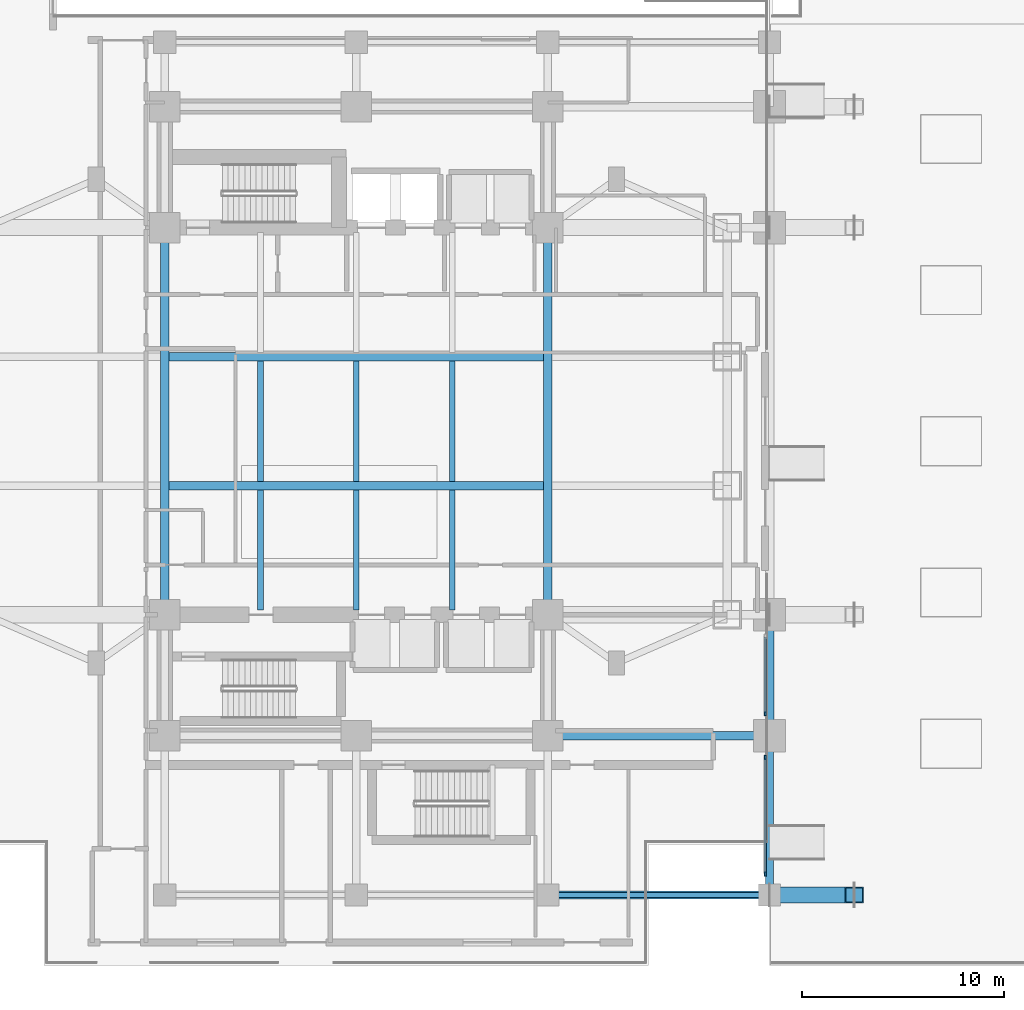
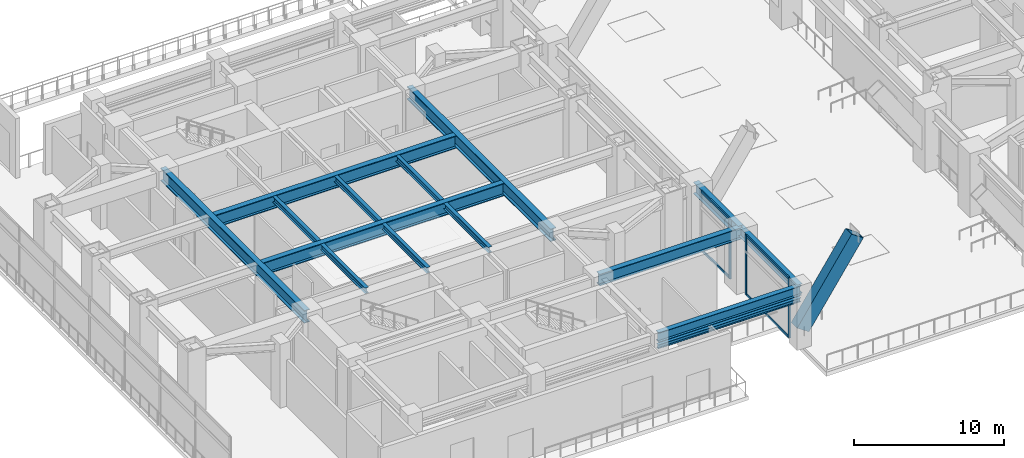
# One storey, part 3 of 27: 15 beams, 8 members, 2 elements without a shape of their own.
"""IFC4 building model written with IfcOpenShell, lengths in metres."""

from ifc_helpers import new_model, si_unit, direction, frame, origin, origin_2d, place, context, subcontext, project, spatial, rectangle, hollow_rectangle, i_section, extrude, material, material_profile, profile_set, type_object, element, aggregate, save


model = new_model("IFC4")

# Units and contexts
model_context = context("Model", 3, precision=1e-05, world=origin(), true_north=direction((0.0, 1.0)))
body_context = subcontext(model_context, "Body", "Model", "MODEL_VIEW")
ifc_project = project(units=[si_unit("LENGTHUNIT", "METRE"), si_unit("AREAUNIT", "SQUARE_METRE"), si_unit("VOLUMEUNIT", "CUBIC_METRE"), si_unit("PLANEANGLEUNIT", "RADIAN"), si_unit("MASSUNIT", "GRAM", prefix="KILO")], contexts=[model_context])

# Site, building, storey
site_placement = place(None, origin())
site = spatial("IfcSite", under=ifc_project, at=site_placement, CompositionType="ELEMENT")
building_placement = place(site_placement, origin())
building = spatial("IfcBuilding", under=site, at=building_placement, Name="Mirazonda Arch Towers", CompositionType="ELEMENT")
storey_placement = place(building_placement, origin())
storey = spatial("IfcBuildingStorey", under=building, at=storey_placement, Name="L00", CompositionType="ELEMENT", Elevation=0.0)

# Beams
ifc_material_1 = material(Name="Steel ASTM A992 Grade 50", Category="steel")
ifc_material_profile_1 = material_profile(ifc_material_1, i_section(OverallWidth=0.25390625, OverallDepth=0.320068359375, WebThickness=0.0087890625, FlangeThickness=0.0146484375, at=origin_2d()), Name="W12X53")
ifc_profile_set_1 = profile_set([ifc_material_profile_1], Name="Steel ASTM A992 Grade 50")
beam_type_1 = type_object("IfcBeamType", Name="BM-EXT-W12X53", PredefinedType="LINTEL", material=ifc_profile_set_1)
beam_1_placement = place(storey_placement, frame((30.0, 4.5, 3.699951171875), z_axis=(1.0, 0.0, 0.0), x_axis=(0.0, 1.0, 0.0)))
element("IfcBeam", 1, at=beam_1_placement, inside=storey, type_object=beam_type_1, Name="L00 Facade Opening Lintel LNT-S3", PredefinedType="LINTEL", context=body_context, shape_type="SweptSolid", body=[
    extrude(i_section(OverallWidth=0.25390625, OverallDepth=0.320068359375, WebThickness=0.0087890625, FlangeThickness=0.0146484375, at=origin_2d()), origin(), (0.0, 0.0, 1.0), 11.0),
])
ifc_material_profile_2 = material_profile(ifc_material_1, i_section(OverallWidth=0.381103515625, OverallDepth=0.77294921875, WebThickness=0.0166015625, FlangeThickness=0.027099609375, at=origin_2d()), Name="W30X173")
ifc_profile_set_2 = profile_set([ifc_material_profile_2], Name="Steel ASTM A992 Grade 50")
beam_type_2 = type_object("IfcBeamType", Name="BM-EXT-W30X173", PredefinedType="USERDEFINED", material=ifc_profile_set_2)
beam_2_placement = place(storey_placement, frame((30.0, 4.5, 4.493408203125), z_axis=(1.0, 0.0, 0.0), x_axis=(0.0, 1.0, 0.0)))
element("IfcBeam", 2, at=beam_2_placement, inside=storey, type_object=beam_type_2, Name="L00 Floor Beam BM-POD-L00-PS-3", ObjectType="GIRDER", PredefinedType="USERDEFINED", context=body_context, shape_type="SweptSolid", body=[
    extrude(i_section(OverallWidth=0.381103515625, OverallDepth=0.77294921875, WebThickness=0.0166015625, FlangeThickness=0.027099609375, at=origin_2d()), origin(), (0.0, 0.0, 1.0), 11.0),
])
ifc_material_profile_3 = material_profile(ifc_material_1, i_section(OverallWidth=0.423095703125, OverallDepth=0.947998046875, WebThickness=0.02392578125, FlangeThickness=0.042724609375, at=origin_2d()), Name="W36X302")
ifc_profile_set_3 = profile_set([ifc_material_profile_3], Name="Steel ASTM A992 Grade 50")
beam_type_3 = type_object("IfcBeamType", Name="BM-EXT-W36X302", PredefinedType="USERDEFINED", material=ifc_profile_set_3)
beam_3_placement = place(storey_placement, frame((41.0, 12.39990234375, 4.406005859375), z_axis=(0.0, 1.0, 0.0), x_axis=(-1.0, 0.0, 0.0)))
element("IfcBeam", 3, at=beam_3_placement, inside=storey, type_object=beam_type_3, Name="L00 Floor Beam BM-POD-L00-PA-WL1", ObjectType="GIRDER", PredefinedType="USERDEFINED", context=body_context, shape_type="SweptSolid", body=[
    extrude(i_section(OverallWidth=0.423095703125, OverallDepth=0.947998046875, WebThickness=0.02392578125, FlangeThickness=0.042724609375, at=origin_2d()), origin(), (0.0, 0.0, 1.0), 6.0),
])
ifc_material_profile_4 = material_profile(ifc_material_1, i_section(OverallWidth=0.280029296875, OverallDepth=0.462890625, WebThickness=0.0107421875, FlangeThickness=0.017333984375, at=origin_2d()), Name="W18X76")
ifc_profile_set_4 = profile_set([ifc_material_profile_4], Name="Steel ASTM A992 Grade 50")
beam_type_4 = type_object("IfcBeamType", Name="BM-INT-W18X76", PredefinedType="JOIST", material=ifc_profile_set_4)
beam_4_placement = place(storey_placement, frame((15.75, 18.639892578125, 4.6484375), z_axis=(0.0, 1.0, 0.0), x_axis=(-1.0, 0.0, 0.0)))
element("IfcBeam", 4, at=beam_4_placement, inside=storey, type_object=beam_type_4, Name="L00 Floor Beam BM-T1-L00-J-157-18", PredefinedType="JOIST", context=body_context, shape_type="SweptSolid", body=[
    extrude(i_section(OverallWidth=0.280029296875, OverallDepth=0.462890625, WebThickness=0.0107421875, FlangeThickness=0.017333984375, at=origin_2d()), origin(), (0.0, 0.0, 1.0), 5.9541015625),
])
beam_5_placement = place(storey_placement, frame((15.75, 25.006103515625, 4.6484375), z_axis=(0.0, 1.0, 0.0), x_axis=(-1.0, 0.0, 0.0)))
element("IfcBeam", 5, at=beam_5_placement, inside=storey, type_object=beam_type_4, Name="L00 Floor Beam BM-T1-L00-J-157-24", PredefinedType="JOIST", context=body_context, shape_type="SweptSolid", body=[
    extrude(i_section(OverallWidth=0.280029296875, OverallDepth=0.462890625, WebThickness=0.0107421875, FlangeThickness=0.017333984375, at=origin_2d()), origin(), (0.0, 0.0, 1.0), 5.98779296875),
])
beam_6_placement = place(storey_placement, frame((20.5, 18.639892578125, 4.6484375), z_axis=(0.0, 1.0, 0.0), x_axis=(-1.0, 0.0, 0.0)))
element("IfcBeam", 6, at=beam_6_placement, inside=storey, type_object=beam_type_4, Name="L00 Floor Beam BM-T1-L00-J-205-18", PredefinedType="JOIST", context=body_context, shape_type="SweptSolid", body=[
    extrude(i_section(OverallWidth=0.280029296875, OverallDepth=0.462890625, WebThickness=0.0107421875, FlangeThickness=0.017333984375, at=origin_2d()), origin(), (0.0, 0.0, 1.0), 5.9541015625),
])
beam_7_placement = place(storey_placement, frame((20.5, 25.006103515625, 4.6484375), z_axis=(0.0, 1.0, 0.0), x_axis=(-1.0, 0.0, 0.0)))
element("IfcBeam", 7, at=beam_7_placement, inside=storey, type_object=beam_type_4, Name="L00 Floor Beam BM-T1-L00-J-205-24", PredefinedType="JOIST", context=body_context, shape_type="SweptSolid", body=[
    extrude(i_section(OverallWidth=0.280029296875, OverallDepth=0.462890625, WebThickness=0.0107421875, FlangeThickness=0.017333984375, at=origin_2d()), origin(), (0.0, 0.0, 1.0), 5.98779296875),
])
beam_8_placement = place(storey_placement, frame((25.25, 18.639892578125, 4.6484375), z_axis=(0.0, 1.0, 0.0), x_axis=(-1.0, 0.0, 0.0)))
element("IfcBeam", 8, at=beam_8_placement, inside=storey, type_object=beam_type_4, Name="L00 Floor Beam BM-T1-L00-J-252-18", PredefinedType="JOIST", context=body_context, shape_type="SweptSolid", body=[
    extrude(i_section(OverallWidth=0.280029296875, OverallDepth=0.462890625, WebThickness=0.0107421875, FlangeThickness=0.017333984375, at=origin_2d()), origin(), (0.0, 0.0, 1.0), 5.9541015625),
])
beam_9_placement = place(storey_placement, frame((25.25, 25.006103515625, 4.6484375), z_axis=(0.0, 1.0, 0.0), x_axis=(-1.0, 0.0, 0.0)))
element("IfcBeam", 9, at=beam_9_placement, inside=storey, type_object=beam_type_4, Name="L00 Floor Beam BM-T1-L00-J-252-24", PredefinedType="JOIST", context=body_context, shape_type="SweptSolid", body=[
    extrude(i_section(OverallWidth=0.280029296875, OverallDepth=0.462890625, WebThickness=0.0107421875, FlangeThickness=0.017333984375, at=origin_2d()), origin(), (0.0, 0.0, 1.0), 5.98779296875),
])
ifc_material_profile_5 = material_profile(ifc_material_1, i_section(OverallWidth=0.381103515625, OverallDepth=0.77294921875, WebThickness=0.0166015625, FlangeThickness=0.027099609375, at=origin_2d()), Name="W30X173")
ifc_profile_set_5 = profile_set([ifc_material_profile_5], Name="Steel ASTM A992 Grade 50")
beam_type_5 = type_object("IfcBeamType", Name="BM-INT-W30X173", PredefinedType="USERDEFINED", material=ifc_profile_set_5)
beam_10_placement = place(storey_placement, frame((41.0, 4.5, 4.493408203125), z_axis=(0.0, 1.0, 0.0), x_axis=(-1.0, 0.0, 0.0)))
element("IfcBeam", 10, at=beam_10_placement, inside=storey, type_object=beam_type_5, Name="L00 Floor Beam BM-POD-L00-PCS-4", ObjectType="GIRDER", PredefinedType="USERDEFINED", context=body_context, shape_type="SweptSolid", body=[
    extrude(i_section(OverallWidth=0.381103515625, OverallDepth=0.77294921875, WebThickness=0.0166015625, FlangeThickness=0.027099609375, at=origin_2d()), origin(), (0.0, 0.0, 1.0), 7.89990234375),
])
ifc_material_profile_6 = material_profile(ifc_material_1, i_section(OverallWidth=0.423095703125, OverallDepth=0.947998046875, WebThickness=0.02392578125, FlangeThickness=0.042724609375, at=origin_2d()), Name="W36X302")
ifc_profile_set_6 = profile_set([ifc_material_profile_6], Name="Steel ASTM A992 Grade 50")
beam_type_6 = type_object("IfcBeamType", Name="BM-INT-W36X302", PredefinedType="USERDEFINED", material=ifc_profile_set_6)
beam_11_placement = place(storey_placement, frame((30.0, 12.39990234375, 4.406005859375), z_axis=(1.0, 0.0, 0.0), x_axis=(0.0, 1.0, 0.0)))
element("IfcBeam", 11, at=beam_11_placement, inside=storey, type_object=beam_type_6, Name="L00 Floor Beam BM-POD-L00-PA-W1", ObjectType="GIRDER", PredefinedType="USERDEFINED", context=body_context, shape_type="SweptSolid", body=[
    extrude(i_section(OverallWidth=0.423095703125, OverallDepth=0.947998046875, WebThickness=0.02392578125, FlangeThickness=0.042724609375, at=origin_2d()), origin(), (0.0, 0.0, 1.0), 11.0),
])
ifc_material_profile_7 = material_profile(ifc_material_1, i_section(OverallWidth=0.419921875, OverallDepth=1.0400390625, WebThickness=0.031005859375, FlangeThickness=0.055908203125, at=origin_2d()), Name="W40X397")
ifc_profile_set_7 = profile_set([ifc_material_profile_7], Name="Steel ASTM A992 Grade 50")
beam_type_7 = type_object("IfcBeamType", Name="BM-INT-W40X397", PredefinedType="USERDEFINED", material=ifc_profile_set_7)
for number, where, z_axis, x_axis, name in (
    (12, (11.2099609375, 24.800048828125, 4.360107421875), (1.0, 0.0, 0.0), (0.0, 1.0, 0.0), "L00 Floor Beam BM-T1-L00-GC2"),
    (13, (11.2099609375, 31.199951171875, 4.360107421875), (1.0, 0.0, 0.0), (0.0, 1.0, 0.0), "L00 Floor Beam BM-T1-L00-GC3"),
):
    element("IfcBeam", number, at=place(storey_placement, frame(where, z_axis=z_axis, x_axis=x_axis)), inside=storey, type_object=beam_type_7, Name=name, ObjectType="GIRDER", PredefinedType="USERDEFINED", context=body_context, shape_type="SweptSolid", body=[
        extrude(i_section(OverallWidth=0.419921875, OverallDepth=1.0400390625, WebThickness=0.031005859375, FlangeThickness=0.055908203125, at=origin_2d()), origin(), (0.0, 0.0, 1.0), 18.580078125),
    ])
for number, where, z_axis, x_axis, name in (
    (14, (11.0, 18.39990234375, 4.360107421875), (0.0, 1.0, 0.0), (-1.0, 0.0, 0.0), "L00 Floor Beam BM-T1-L00-NS-CW-FULL"),
    (15, (30.0, 18.39990234375, 4.360107421875), (0.0, 1.0, 0.0), (-1.0, 0.0, 0.0), "L00 Floor Beam BM-T1-L00-NS-CE-FULL"),
):
    element("IfcBeam", number, at=place(storey_placement, frame(where, z_axis=z_axis, x_axis=x_axis)), inside=storey, type_object=beam_type_7, Name=name, ObjectType="GIRDER", PredefinedType="USERDEFINED", context=body_context, shape_type="SweptSolid", body=[
        extrude(i_section(OverallWidth=0.419921875, OverallDepth=1.0400390625, WebThickness=0.031005859375, FlangeThickness=0.055908203125, at=origin_2d()), origin(), (0.0, 0.0, 1.0), 19.2001953125),
    ])

# Member
ifc_material_2 = material(Name="Steel ASTM A572 Grade 50", Category="steel")
ifc_material_profile_8 = material_profile(ifc_material_2, hollow_rectangle(XDim=0.800048828125, YDim=1.10009765625, WallThickness=0.06005859375, at=origin_2d()), Name="ARCHBOX1100x800x60")
ifc_profile_set_8 = profile_set([ifc_material_profile_8], Name="Steel ASTM A572 Grade 50")
member_type_1 = type_object("IfcMemberType", Name="MBR-EXT-ARCHBOX1100x800x60", PredefinedType="CHORD", material=ifc_profile_set_8)
member_1_placement = place(storey_placement, frame((41.0, 4.5, 1.39990234375), z_axis=(0.56083156562, 0.0, 0.827929921554), x_axis=(0.0, 1.0, 0.0)))
element("IfcMember", 16, at=member_1_placement, inside=storey, type_object=member_type_1, Name="Podium Parabolic Arch Rib 1 Chord 1", PredefinedType="CHORD", context=body_context, shape_type="SweptSolid", body=[
    extrude(hollow_rectangle(XDim=0.800048828125, YDim=1.10009765625, WallThickness=0.06005859375, at=origin_2d()), origin(), (0.0, 0.0, 1.0), 7.48876953125),
])

# Curtain wall, member
ifc_material_3 = material(Name="Anodised Aluminium and Low-E Glass", Category="aluminium")
curtain_wall_type = type_object("IfcCurtainWallType", Name="CW-ARCH-GLAZE", PredefinedType="NOTDEFINED", material=ifc_material_3)
curtain_wall_1_placement = place(storey_placement, origin())
curtain_wall_1 = element("IfcCurtainWall", 17, at=curtain_wall_1_placement, inside=storey, type_object=curtain_wall_type, Name="L00 Arch West Concourse Glazing CW-L00-ARCH-WS-S1", PredefinedType="NOTDEFINED")
ifc_material_4 = material(Name="Anodised Aluminium Alloy", Category="aluminium")
ifc_material_profile_9 = material_profile(ifc_material_4, rectangle(XDim=0.090087890625, YDim=0.219970703125, at=origin_2d()), Name="ALU-MULL-90x220")
ifc_profile_set_9 = profile_set([ifc_material_profile_9], Name="Anodised Aluminium Alloy")
member_type_2 = type_object("IfcMemberType", Name="MULL-CW-ARCH-GLAZE", PredefinedType="MULLION", material=ifc_profile_set_9)
member_2_placement = place(storey_placement, frame((40.780029296875, 13.485107421875, 0.0), z_axis=(0.0, 0.0, 1.0), x_axis=(1.0, 0.0, 0.0)))
member_2 = element("IfcMember", 18, at=member_2_placement, type_object=member_type_2, Name="CW-106 mullion 2", PredefinedType="MULLION", context=body_context, shape_type="SweptSolid", body=[
    extrude(rectangle(XDim=0.090087890625, YDim=0.219970703125, at=origin_2d()), origin(), (0.0, 0.0, 1.0), 4.860107421875),
])

# Curtain wall, members
curtain_wall_2_placement = place(storey_placement, origin())
curtain_wall_2 = element("IfcCurtainWall", 19, at=curtain_wall_2_placement, inside=storey, type_object=curtain_wall_type, Name="L00 Arch West Concourse Glazing CW-L00-ARCH-WS-S2", PredefinedType="NOTDEFINED")
member_3_placement = place(storey_placement, frame((40.780029296875, 11.31494140625, 0.0), z_axis=(0.0, 0.0, 1.0), x_axis=(1.0, 0.0, 0.0)))
member_3 = element("IfcMember", 20, at=member_3_placement, type_object=member_type_2, Name="CW-106 mullion 1", PredefinedType="MULLION", context=body_context, shape_type="SweptSolid", body=[
    extrude(rectangle(XDim=0.090087890625, YDim=0.219970703125, at=origin_2d()), origin(), (0.0, 0.0, 1.0), 4.860107421875),
])
member_4_placement = place(storey_placement, frame((40.780029296875, 5.544921875, 0.0), z_axis=(0.0, 0.0, 1.0), x_axis=(1.0, 0.0, 0.0)))
member_4 = element("IfcMember", 21, at=member_4_placement, type_object=member_type_2, Name="CW-106 mullion 2", PredefinedType="MULLION", context=body_context, shape_type="SweptSolid", body=[
    extrude(rectangle(XDim=0.090087890625, YDim=0.219970703125, at=origin_2d()), origin(), (0.0, 0.0, 1.0), 4.860107421875),
])

# Member
ifc_material_profile_10 = material_profile(ifc_material_4, rectangle(XDim=0.090087890625, YDim=0.199951171875, at=origin_2d()), Name="ALU-TRAN-90x200")
ifc_profile_set_10 = profile_set([ifc_material_profile_10], Name="Anodised Aluminium Alloy")
member_type_3 = type_object("IfcMemberType", Name="TRAN-CW-ARCH-GLAZE", PredefinedType="USERDEFINED", material=ifc_profile_set_10)
member_5_placement = place(storey_placement, frame((40.780029296875, 17.27001953125, 0.044921875), z_axis=(0.0, -1.0, 0.0), x_axis=(1.0, 0.0, 0.0)))
member_5 = element("IfcMember", 22, at=member_5_placement, type_object=member_type_3, Name="CW-106 transom 1.1", ObjectType="TRANSOM", PredefinedType="USERDEFINED", context=body_context, shape_type="SweptSolid", body=[
    extrude(rectangle(XDim=0.090087890625, YDim=0.199951171875, at=origin_2d()), origin(), (0.0, 0.0, 1.0), 3.739990234375),
])

member_6_placement = place(storey_placement, frame((40.780029296875, 17.27001953125, 4.81494140625), z_axis=(0.0, -1.0, 0.0), x_axis=(1.0, 0.0, 0.0)))
member_6 = element("IfcMember", 23, at=member_6_placement, type_object=member_type_3, Name="CW-106 transom 1.2", ObjectType="TRANSOM", PredefinedType="USERDEFINED", context=body_context, shape_type="SweptSolid", body=[
    extrude(rectangle(XDim=0.090087890625, YDim=0.199951171875, at=origin_2d()), origin(), (0.0, 0.0, 1.0), 3.739990234375),
])

aggregate(curtain_wall_1, [member_2, member_5, member_6])

member_7_placement = place(storey_placement, frame((40.780029296875, 11.27001953125, 0.044921875), z_axis=(0.0, -1.0, 0.0), x_axis=(1.0, 0.0, 0.0)))
member_7 = element("IfcMember", 24, at=member_7_placement, type_object=member_type_3, Name="CW-106 transom 1.1", ObjectType="TRANSOM", PredefinedType="USERDEFINED", context=body_context, shape_type="SweptSolid", body=[
    extrude(rectangle(XDim=0.090087890625, YDim=0.199951171875, at=origin_2d()), origin(), (0.0, 0.0, 1.0), 5.679931640625),
])

member_8_placement = place(storey_placement, frame((40.780029296875, 11.27001953125, 4.81494140625), z_axis=(0.0, -1.0, 0.0), x_axis=(1.0, 0.0, 0.0)))
member_8 = element("IfcMember", 25, at=member_8_placement, type_object=member_type_3, Name="CW-106 transom 1.2", ObjectType="TRANSOM", PredefinedType="USERDEFINED", context=body_context, shape_type="SweptSolid", body=[
    extrude(rectangle(XDim=0.090087890625, YDim=0.199951171875, at=origin_2d()), origin(), (0.0, 0.0, 1.0), 5.679931640625),
])

aggregate(curtain_wall_2, [member_3, member_4, member_7, member_8])

save(model, "model.ifc")
